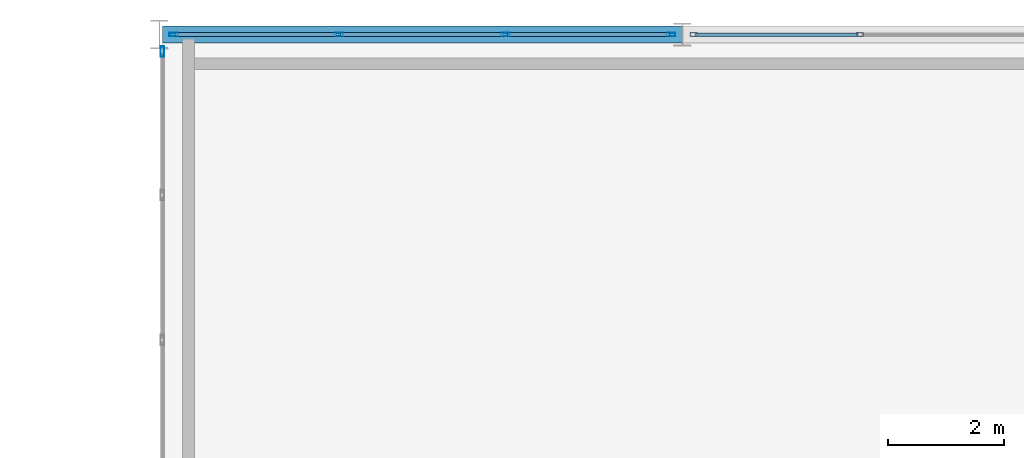
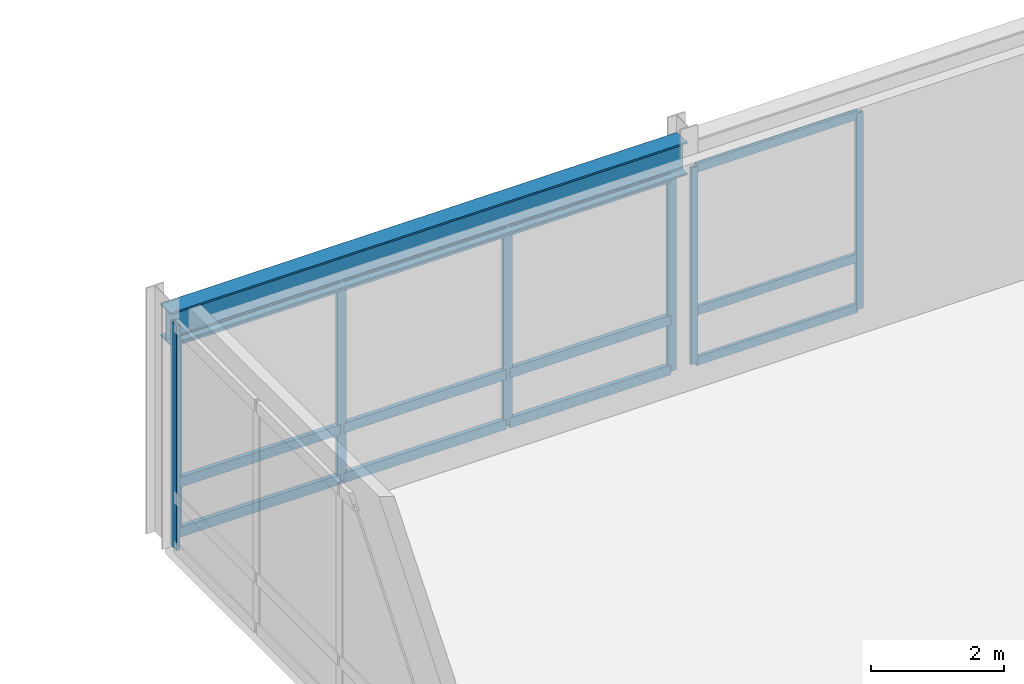
# One storey, part 30 of 67: 19 members, 1 beam, 3 elements without a shape of their own.
"""IFC4 building model written with IfcOpenShell, lengths in metres."""

from ifc_helpers import new_model, si_unit, direction, frame, origin, origin_2d, place, context, subcontext, project, spatial, hollow_rectangle, i_section, extrude, material, layer, layer_set, material_profile, profile_set, type_object, element, aggregate, save


model = new_model("IFC4")

# Units and contexts
model_context = context("Model", 3, precision=1e-05, world=origin(), true_north=direction((0.0, 1.0)))
body_context = subcontext(model_context, "Body", "Model", "MODEL_VIEW")
ifc_project = project(units=[si_unit("LENGTHUNIT", "METRE"), si_unit("AREAUNIT", "SQUARE_METRE"), si_unit("VOLUMEUNIT", "CUBIC_METRE"), si_unit("PLANEANGLEUNIT", "RADIAN"), si_unit("MASSUNIT", "GRAM", prefix="KILO")], contexts=[model_context])

# Site, building, storey
site_placement = place(None, origin())
site = spatial("IfcSite", under=ifc_project, at=site_placement, CompositionType="ELEMENT")
building_placement = place(site_placement, origin())
building = spatial("IfcBuilding", under=site, at=building_placement, Name="Montelvaro Courts of Justice", CompositionType="ELEMENT")
storey_placement = place(building_placement, frame((0.0, 0.0, 18.89990234375)))
storey = spatial("IfcBuildingStorey", under=building, at=storey_placement, Name="L04", CompositionType="ELEMENT", Elevation=18.89990234375)

# Beam
ifc_material_1 = material(Name="Steel S355", Category="steel")
ifc_material_profile_1 = material_profile(ifc_material_1, i_section(OverallWidth=0.300048828125, OverallDepth=0.60009765625, WebThickness=0.015380859375, FlangeThickness=0.030029296875, at=origin_2d()), Name="HEB 600")
ifc_profile_set_1 = profile_set([ifc_material_profile_1], Name="Steel S355")
beam_type = type_object("IfcBeamType", Name="Beam_HEB600", PredefinedType="USERDEFINED", material=ifc_profile_set_1)
beam_placement = place(storey_placement, frame((99.050048828125, 96.0, 3.900146484375), z_axis=(1.0, 0.0, 0.0), x_axis=(0.0, 1.0, 0.0)))
element("IfcBeam", 1, at=beam_placement, inside=storey, type_object=beam_type, Name="V2 Roof Eave Girder", ObjectType="GIRDER", PredefinedType="USERDEFINED", context=body_context, shape_type="SweptSolid", body=[
    extrude(i_section(OverallWidth=0.300048828125, OverallDepth=0.60009765625, WebThickness=0.015380859375, FlangeThickness=0.030029296875, at=origin_2d()), origin(), (0.0, 0.0, 1.0), 8.949951171875),
])

# Curtain wall, members
ifc_material_2 = material(Name="Anodised aluminium EN AW-6063", Category="aluminium")
ifc_layer_1 = layer(ifc_material_2, 0.159912109375)
ifc_layer_set_1 = layer_set([ifc_layer_1], Name="Anodised aluminium EN AW-6063")
curtain_wall_type_1 = type_object("IfcCurtainWallType", Name="CurtainWall_14_867x418", PredefinedType="USERDEFINED", material=ifc_layer_set_1)
curtain_wall_1_placement = place(storey_placement, origin())
curtain_wall_1 = element("IfcCurtainWall", 2, at=curtain_wall_1_placement, inside=storey, type_object=curtain_wall_type_1, Name="Curtain Wall CW-14 (L04)", ObjectType="CURTAIN WALL", PredefinedType="USERDEFINED")
ifc_material_profile_2 = material_profile(ifc_material_2, hollow_rectangle(XDim=0.06005859375, YDim=0.1201171875, WallThickness=0.00341796875, at=origin_2d()), Name="ALU-M 60x120")
ifc_profile_set_2 = profile_set([ifc_material_profile_2], Name="Anodised aluminium EN AW-6063")
member_type_1 = type_object("IfcMemberType", Name="CurtainWall_Mullion_60x120", PredefinedType="MULLION", material=ifc_profile_set_2)
member_1_placement = place(storey_placement, frame((111.054931640625, 96.0, 0.0), z_axis=(0.0, 0.0, 1.0), x_axis=(0.0, -1.0, 0.0)))
member_1 = element("IfcMember", 3, at=member_1_placement, type_object=member_type_1, Name="CW-14 mullion 3", PredefinedType="MULLION", context=body_context, shape_type="SweptSolid", body=[
    extrude(hollow_rectangle(XDim=0.06005859375, YDim=0.1201171875, WallThickness=0.00341796875, at=origin_2d()), origin(), (0.0, 0.0, 1.0), 3.59521484375),
])
member_2_placement = place(storey_placement, frame((108.195068359375, 96.0, 0.0), z_axis=(0.0, 0.0, 1.0), x_axis=(0.0, -1.0, 0.0)))
member_2 = element("IfcMember", 4, at=member_2_placement, type_object=member_type_1, Name="CW-14 mullion 4", PredefinedType="MULLION", context=body_context, shape_type="SweptSolid", body=[
    extrude(hollow_rectangle(XDim=0.06005859375, YDim=0.1201171875, WallThickness=0.00341796875, at=origin_2d()), origin(), (0.0, 0.0, 1.0), 3.59521484375),
])

ifc_layer_2 = layer(ifc_material_2, 0.159912109375)
ifc_layer_set_2 = layer_set([ifc_layer_2], Name="Anodised aluminium EN AW-6063")
curtain_wall_type_2 = type_object("IfcCurtainWallType", Name="CurtainWall_17_861x418", PredefinedType="USERDEFINED", material=ifc_layer_set_2)
curtain_wall_2_placement = place(storey_placement, origin())
curtain_wall_2 = element("IfcCurtainWall", 5, at=curtain_wall_2_placement, inside=storey, type_object=curtain_wall_type_2, Name="Curtain Wall CW-17 (L04)", ObjectType="CURTAIN WALL", PredefinedType="USERDEFINED")
ifc_material_profile_3 = material_profile(ifc_material_2, hollow_rectangle(XDim=0.06005859375, YDim=0.14990234375, WallThickness=0.00390625, at=origin_2d()), Name="ALU-M 60x150")
ifc_profile_set_3 = profile_set([ifc_material_profile_3], Name="Anodised aluminium EN AW-6063")
member_type_2 = type_object("IfcMemberType", Name="CurtainWall_Mullion_60x150", PredefinedType="MULLION", material=ifc_profile_set_3)
member_3_placement = place(storey_placement, frame((107.804931640625, 96.0, 0.0), z_axis=(0.0, 0.0, 1.0), x_axis=(0.0, -1.0, 0.0)))
member_3 = element("IfcMember", 6, at=member_3_placement, type_object=member_type_2, Name="CW-17 mullion 1", PredefinedType="MULLION", context=body_context, shape_type="SweptSolid", body=[
    extrude(hollow_rectangle(XDim=0.06005859375, YDim=0.14990234375, WallThickness=0.00390625, at=origin_2d()), origin(), (0.0, 0.0, 1.0), 3.59521484375),
])
member_4_placement = place(storey_placement, frame((104.961669921875, 96.0, 0.0), z_axis=(0.0, 0.0, 1.0), x_axis=(0.0, -1.0, 0.0)))
member_4 = element("IfcMember", 7, at=member_4_placement, type_object=member_type_2, Name="CW-17 mullion 2", PredefinedType="MULLION", context=body_context, shape_type="SweptSolid", body=[
    extrude(hollow_rectangle(XDim=0.06005859375, YDim=0.14990234375, WallThickness=0.00390625, at=origin_2d()), origin(), (0.0, 0.0, 1.0), 3.59521484375),
])
member_5_placement = place(storey_placement, frame((102.08837890625, 96.0, 0.0), z_axis=(0.0, 0.0, 1.0), x_axis=(0.0, -1.0, 0.0)))
member_5 = element("IfcMember", 8, at=member_5_placement, type_object=member_type_2, Name="CW-17 mullion 3", PredefinedType="MULLION", context=body_context, shape_type="SweptSolid", body=[
    extrude(hollow_rectangle(XDim=0.06005859375, YDim=0.14990234375, WallThickness=0.00390625, at=origin_2d()), origin(), (0.0, 0.0, 1.0), 3.59521484375),
])
member_6_placement = place(storey_placement, frame((99.2451171875, 96.0, 0.0), z_axis=(0.0, 0.0, 1.0), x_axis=(0.0, -1.0, 0.0)))
member_6 = element("IfcMember", 9, at=member_6_placement, type_object=member_type_2, Name="CW-17 mullion 4", PredefinedType="MULLION", context=body_context, shape_type="SweptSolid", body=[
    extrude(hollow_rectangle(XDim=0.06005859375, YDim=0.14990234375, WallThickness=0.00390625, at=origin_2d()), origin(), (0.0, 0.0, 1.0), 3.59521484375),
])

# Curtain wall, member
ifc_layer_3 = layer(ifc_material_2, 0.159912109375)
ifc_layer_set_3 = layer_set([ifc_layer_3], Name="Anodised aluminium EN AW-6063")
curtain_wall_type_3 = type_object("IfcCurtainWallType", Name="CurtainWall_33_1747x418", PredefinedType="USERDEFINED", material=ifc_layer_set_3)
curtain_wall_3_placement = place(storey_placement, origin())
curtain_wall_3 = element("IfcCurtainWall", 10, at=curtain_wall_3_placement, inside=storey, type_object=curtain_wall_type_3, Name="Curtain Wall CW-33 (L04)", ObjectType="CURTAIN WALL", PredefinedType="USERDEFINED")
ifc_material_profile_4 = material_profile(ifc_material_2, hollow_rectangle(XDim=0.06005859375, YDim=0.179931640625, WallThickness=0.00439453125, at=origin_2d()), Name="ALU-M 60x180")
ifc_profile_set_4 = profile_set([ifc_material_profile_4], Name="Anodised aluminium EN AW-6063")
member_type_3 = type_object("IfcMemberType", Name="CurtainWall_Mullion_60x180", PredefinedType="MULLION", material=ifc_profile_set_4)
member_7_placement = place(storey_placement, frame((99.050048828125, 95.705078125, 0.0), z_axis=(0.0, 0.0, 1.0), x_axis=(1.0, 0.0, 0.0)))
member_7 = element("IfcMember", 11, at=member_7_placement, type_object=member_type_3, Name="CW-33 mullion 1", PredefinedType="MULLION", context=body_context, shape_type="SweptSolid", body=[
    extrude(hollow_rectangle(XDim=0.06005859375, YDim=0.179931640625, WallThickness=0.00439453125, at=origin_2d()), origin(), (0.0, 0.0, 1.0), 4.1201171875),
])
aggregate(curtain_wall_3, [member_7])

# Member
ifc_material_profile_5 = material_profile(ifc_material_2, hollow_rectangle(XDim=0.06005859375, YDim=0.159912109375, WallThickness=0.00439453125, at=origin_2d()), Name="ALU-T 60x160")
ifc_profile_set_5 = profile_set([ifc_material_profile_5], Name="Anodised aluminium EN AW-6063")
member_type_4 = type_object("IfcMemberType", Name="CurtainWall_Transom_60x160", PredefinedType="USERDEFINED", material=ifc_profile_set_5)
member_8_placement = place(storey_placement, frame((111.02490234375, 96.0, 0.030029296875), z_axis=(-1.0, 0.0, 0.0), x_axis=(0.0, -1.0, 0.0)))
member_8 = element("IfcMember", 12, at=member_8_placement, type_object=member_type_4, Name="CW-14 transom 3.1", ObjectType="TRANSOM", PredefinedType="USERDEFINED", context=body_context, shape_type="SweptSolid", body=[
    extrude(hollow_rectangle(XDim=0.06005859375, YDim=0.159912109375, WallThickness=0.00439453125, at=origin_2d()), origin(), (0.0, 0.0, 1.0), 2.7998046875),
])

member_9_placement = place(storey_placement, frame((111.02490234375, 96.0, 0.9501953125), z_axis=(-1.0, 0.0, 0.0), x_axis=(0.0, -1.0, 0.0)))
member_9 = element("IfcMember", 13, at=member_9_placement, type_object=member_type_4, Name="CW-14 transom 3.2", ObjectType="TRANSOM", PredefinedType="USERDEFINED", context=body_context, shape_type="SweptSolid", body=[
    extrude(hollow_rectangle(XDim=0.06005859375, YDim=0.159912109375, WallThickness=0.00439453125, at=origin_2d()), origin(), (0.0, 0.0, 1.0), 2.7998046875),
])

member_10_placement = place(storey_placement, frame((111.02490234375, 96.0, 3.565185546875), z_axis=(-1.0, 0.0, 0.0), x_axis=(0.0, -1.0, 0.0)))
member_10 = element("IfcMember", 14, at=member_10_placement, type_object=member_type_4, Name="CW-14 transom 3.3", ObjectType="TRANSOM", PredefinedType="USERDEFINED", context=body_context, shape_type="SweptSolid", body=[
    extrude(hollow_rectangle(XDim=0.06005859375, YDim=0.159912109375, WallThickness=0.00439453125, at=origin_2d()), origin(), (0.0, 0.0, 1.0), 2.7998046875),
])

aggregate(curtain_wall_1, [member_1, member_2, member_8, member_9, member_10])

ifc_material_profile_6 = material_profile(ifc_material_2, hollow_rectangle(XDim=0.074951171875, YDim=0.179931640625, WallThickness=0.0048828125, at=origin_2d()), Name="ALU-T 75x180")
ifc_profile_set_6 = profile_set([ifc_material_profile_6], Name="Anodised aluminium EN AW-6063")
member_type_5 = type_object("IfcMemberType", Name="CurtainWall_Transom_75x180", PredefinedType="USERDEFINED", material=ifc_profile_set_6)
member_11_placement = place(storey_placement, frame((107.77490234375, 96.0, 0.03759765625), z_axis=(-1.0, 0.0, 0.0), x_axis=(0.0, -1.0, 0.0)))
member_11 = element("IfcMember", 15, at=member_11_placement, type_object=member_type_5, Name="CW-17 transom 1.1", ObjectType="TRANSOM", PredefinedType="USERDEFINED", context=body_context, shape_type="SweptSolid", body=[
    extrude(hollow_rectangle(XDim=0.074951171875, YDim=0.179931640625, WallThickness=0.0048828125, at=origin_2d()), origin(), (0.0, 0.0, 1.0), 2.783203125),
])

member_12_placement = place(storey_placement, frame((107.77490234375, 96.0, 0.9501953125), z_axis=(-1.0, 0.0, 0.0), x_axis=(0.0, -1.0, 0.0)))
member_12 = element("IfcMember", 16, at=member_12_placement, type_object=member_type_5, Name="CW-17 transom 1.2", ObjectType="TRANSOM", PredefinedType="USERDEFINED", context=body_context, shape_type="SweptSolid", body=[
    extrude(hollow_rectangle(XDim=0.074951171875, YDim=0.179931640625, WallThickness=0.0048828125, at=origin_2d()), origin(), (0.0, 0.0, 1.0), 2.783203125),
])

member_13_placement = place(storey_placement, frame((107.77490234375, 96.0, 3.5576171875), z_axis=(-1.0, 0.0, 0.0), x_axis=(0.0, -1.0, 0.0)))
member_13 = element("IfcMember", 17, at=member_13_placement, type_object=member_type_5, Name="CW-17 transom 1.3", ObjectType="TRANSOM", PredefinedType="USERDEFINED", context=body_context, shape_type="SweptSolid", body=[
    extrude(hollow_rectangle(XDim=0.074951171875, YDim=0.179931640625, WallThickness=0.0048828125, at=origin_2d()), origin(), (0.0, 0.0, 1.0), 2.783203125),
])

member_14_placement = place(storey_placement, frame((104.931640625, 96.0, 0.03759765625), z_axis=(-1.0, 0.0, 0.0), x_axis=(0.0, -1.0, 0.0)))
member_14 = element("IfcMember", 18, at=member_14_placement, type_object=member_type_5, Name="CW-17 transom 2.1", ObjectType="TRANSOM", PredefinedType="USERDEFINED", context=body_context, shape_type="SweptSolid", body=[
    extrude(hollow_rectangle(XDim=0.074951171875, YDim=0.179931640625, WallThickness=0.0048828125, at=origin_2d()), origin(), (0.0, 0.0, 1.0), 2.813232421875),
])

member_15_placement = place(storey_placement, frame((104.931640625, 96.0, 0.9501953125), z_axis=(-1.0, 0.0, 0.0), x_axis=(0.0, -1.0, 0.0)))
member_15 = element("IfcMember", 19, at=member_15_placement, type_object=member_type_5, Name="CW-17 transom 2.2", ObjectType="TRANSOM", PredefinedType="USERDEFINED", context=body_context, shape_type="SweptSolid", body=[
    extrude(hollow_rectangle(XDim=0.074951171875, YDim=0.179931640625, WallThickness=0.0048828125, at=origin_2d()), origin(), (0.0, 0.0, 1.0), 2.813232421875),
])

member_16_placement = place(storey_placement, frame((104.931640625, 96.0, 3.5576171875), z_axis=(-1.0, 0.0, 0.0), x_axis=(0.0, -1.0, 0.0)))
member_16 = element("IfcMember", 20, at=member_16_placement, type_object=member_type_5, Name="CW-17 transom 2.3", ObjectType="TRANSOM", PredefinedType="USERDEFINED", context=body_context, shape_type="SweptSolid", body=[
    extrude(hollow_rectangle(XDim=0.074951171875, YDim=0.179931640625, WallThickness=0.0048828125, at=origin_2d()), origin(), (0.0, 0.0, 1.0), 2.813232421875),
])

member_17_placement = place(storey_placement, frame((102.058349609375, 96.0, 0.03759765625), z_axis=(-1.0, 0.0, 0.0), x_axis=(0.0, -1.0, 0.0)))
member_17 = element("IfcMember", 21, at=member_17_placement, type_object=member_type_5, Name="CW-17 transom 3.1", ObjectType="TRANSOM", PredefinedType="USERDEFINED", context=body_context, shape_type="SweptSolid", body=[
    extrude(hollow_rectangle(XDim=0.074951171875, YDim=0.179931640625, WallThickness=0.0048828125, at=origin_2d()), origin(), (0.0, 0.0, 1.0), 2.783447265625),
])

member_18_placement = place(storey_placement, frame((102.058349609375, 96.0, 0.9501953125), z_axis=(-1.0, 0.0, 0.0), x_axis=(0.0, -1.0, 0.0)))
member_18 = element("IfcMember", 22, at=member_18_placement, type_object=member_type_5, Name="CW-17 transom 3.2", ObjectType="TRANSOM", PredefinedType="USERDEFINED", context=body_context, shape_type="SweptSolid", body=[
    extrude(hollow_rectangle(XDim=0.074951171875, YDim=0.179931640625, WallThickness=0.0048828125, at=origin_2d()), origin(), (0.0, 0.0, 1.0), 2.783447265625),
])

member_19_placement = place(storey_placement, frame((102.058349609375, 96.0, 3.5576171875), z_axis=(-1.0, 0.0, 0.0), x_axis=(0.0, -1.0, 0.0)))
member_19 = element("IfcMember", 23, at=member_19_placement, type_object=member_type_5, Name="CW-17 transom 3.3", ObjectType="TRANSOM", PredefinedType="USERDEFINED", context=body_context, shape_type="SweptSolid", body=[
    extrude(hollow_rectangle(XDim=0.074951171875, YDim=0.179931640625, WallThickness=0.0048828125, at=origin_2d()), origin(), (0.0, 0.0, 1.0), 2.783447265625),
])

aggregate(curtain_wall_2, [member_3, member_4, member_5, member_6, member_11, member_12, member_13, member_14, member_15, member_16, member_17, member_18, member_19])

save(model, "model.ifc")
